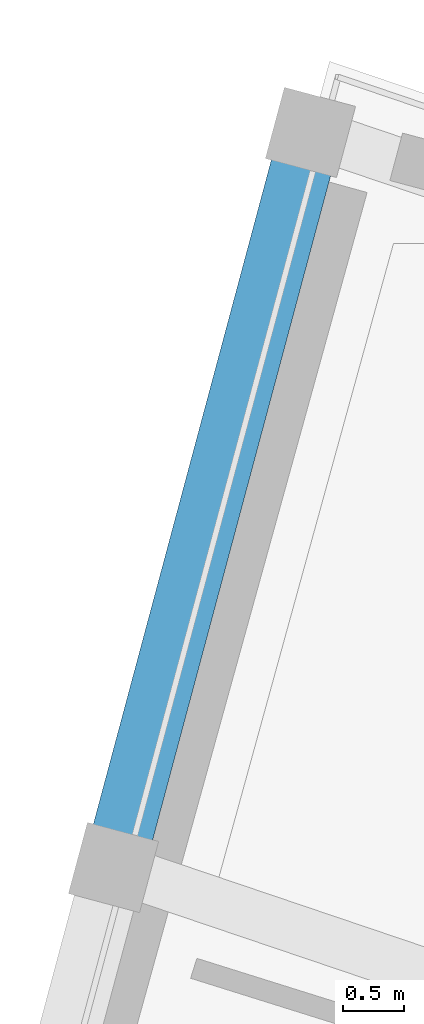
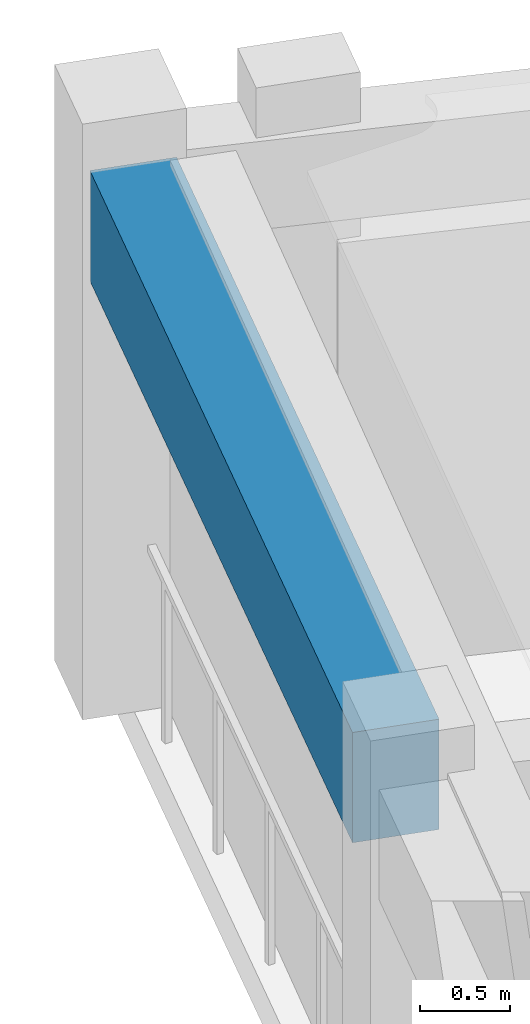
# One storey, part 32 of 72: 1 beam.
"""IFC4 building model written with IfcOpenShell, lengths in metres."""

from ifc_helpers import new_model, si_unit, direction, frame, origin, origin_2d, place, context, subcontext, project, spatial, rectangle, extrude, material, material_profile, profile_set, type_object, element, save


model = new_model("IFC4")

# Units and contexts
model_context = context("Model", 3, precision=1e-05, world=origin(), true_north=direction((0.0, 1.0)))
body_context = subcontext(model_context, "Body", "Model", "MODEL_VIEW")
ifc_project = project(units=[si_unit("LENGTHUNIT", "METRE"), si_unit("AREAUNIT", "SQUARE_METRE"), si_unit("VOLUMEUNIT", "CUBIC_METRE"), si_unit("PLANEANGLEUNIT", "RADIAN"), si_unit("MASSUNIT", "GRAM", prefix="KILO")], contexts=[model_context])

# Site, building, storey
site_placement = place(None, origin())
site = spatial("IfcSite", under=ifc_project, at=site_placement, CompositionType="ELEMENT")
building_placement = place(site_placement, origin())
building = spatial("IfcBuilding", under=site, at=building_placement, Name="Saryqyr Civic Hall", CompositionType="ELEMENT")
storey_placement = place(building_placement, frame((0.0, 0.0, 17.25)))
storey = spatial("IfcBuildingStorey", under=building, at=storey_placement, Name="L04", CompositionType="ELEMENT", Elevation=17.25)

# Beam
ifc_material = material(Name="Concrete C40/50", Category="concrete")
ifc_material_profile = material_profile(ifc_material, rectangle(XDim=0.5, YDim=0.75, at=origin_2d()), Name="RC 500x750")
ifc_profile_set = profile_set([ifc_material_profile], Name="Concrete C40/50")
beam_type = type_object("IfcBeamType", Name="STR-BM-RC500x750", PredefinedType="BEAM", material=ifc_profile_set)
beam_placement = place(storey_placement, frame((68.148681640625, 125.607177734375, 3.3349609375), z_axis=(0.25878936227, 0.965933779291, 0.0), x_axis=(-0.965933779291, 0.25878936227, 0.0)))
element("IfcBeam", 1, at=beam_placement, inside=storey, type_object=beam_type, Name="Beam V6-RBM-B10-L04", PredefinedType="BEAM", context=body_context, shape_type="SweptSolid", body=[
    extrude(rectangle(XDim=0.5, YDim=0.75, at=origin_2d()), origin(), (0.0, 0.0, 1.0), 5.64990234375),
])

save(model, "model.ifc")
